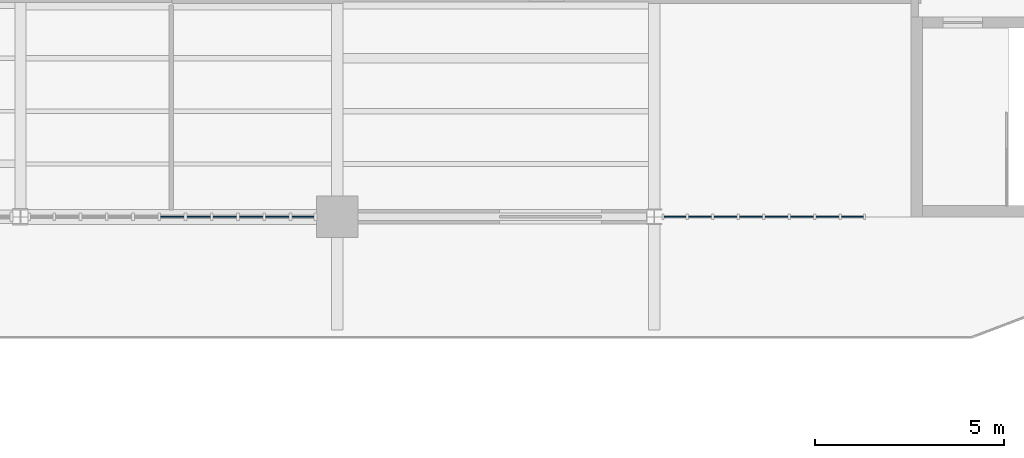
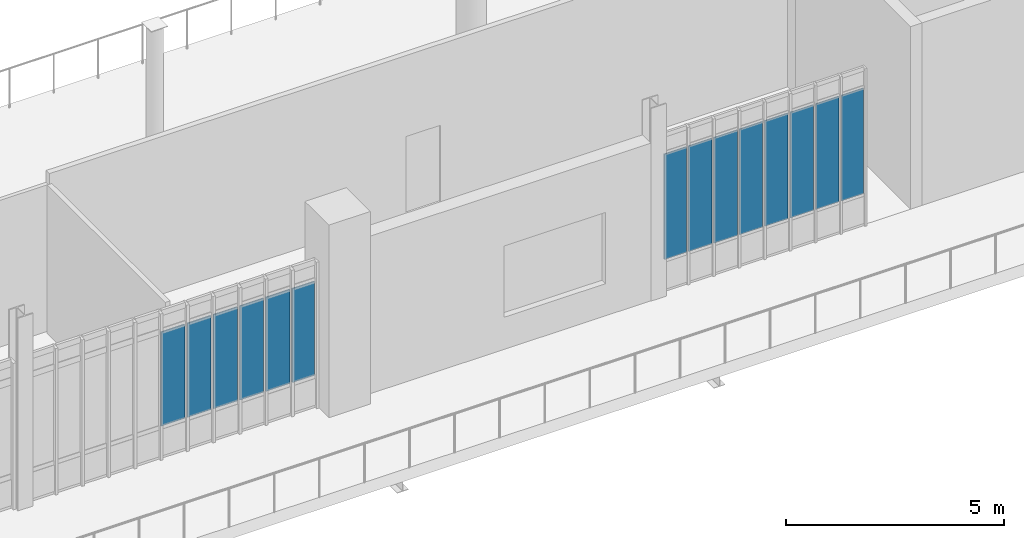
# One storey, part 75 of 135: 14 plates, 2 elements without a shape of their own.
"""IFC4 building model written with IfcOpenShell, lengths in metres."""

from ifc_helpers import new_model, si_unit, direction, frame, origin, origin_2d, place, context, subcontext, project, spatial, rectangle, extrude, material, layer, layer_set, type_object, element, aggregate, save


model = new_model("IFC4")

# Units and contexts
model_context = context("Model", 3, precision=1e-05, world=origin(), true_north=direction((0.0, 1.0)))
body_context = subcontext(model_context, "Body", "Model", "MODEL_VIEW")
ifc_project = project(units=[si_unit("LENGTHUNIT", "METRE"), si_unit("AREAUNIT", "SQUARE_METRE"), si_unit("VOLUMEUNIT", "CUBIC_METRE"), si_unit("PLANEANGLEUNIT", "RADIAN"), si_unit("MASSUNIT", "GRAM", prefix="KILO")], contexts=[model_context])

# Site, building, storey
site_placement = place(None, origin())
site = spatial("IfcSite", under=ifc_project, at=site_placement, CompositionType="ELEMENT")
building_placement = place(site_placement, origin())
building = spatial("IfcBuilding", under=site, at=building_placement, Name="Larkvane Passage Sports Hall", CompositionType="ELEMENT")
storey_placement = place(building_placement, frame((0.0, 0.0, 16.800048828125)))
storey = spatial("IfcBuildingStorey", under=building, at=storey_placement, Name="L03", CompositionType="ELEMENT", Elevation=16.800048828125)

# Curtain wall, plates
ifc_material_1 = material(Name="Thermally broken aluminium and low-E glazing", Category="aluminium")
curtain_wall_type_1 = type_object("IfcCurtainWallType", Name="CW-UNIT-COURT", PredefinedType="USERDEFINED", material=ifc_material_1)
curtain_wall_1_placement = place(storey_placement, origin())
curtain_wall_1 = element("IfcCurtainWall", 1, at=curtain_wall_1_placement, inside=storey, type_object=curtain_wall_type_1, Name="Curtain wall CW5-L03-124", ObjectType="UNITISED CURTAIN WALL", PredefinedType="USERDEFINED")
ifc_material_2 = material(Name="Solar-control low-E double glazing", Category="glass")
ifc_layer_1 = layer(ifc_material_2, 0.028076171875)
ifc_layer_set_1 = layer_set([ifc_layer_1], Name="Solar-control low-E double glazing")
plate_type_1 = type_object("IfcPlateType", Name="CWP-VIS-28", PredefinedType="CURTAIN_PANEL", material=ifc_layer_set_1)
plate_1_placement = place(storey_placement, frame((82.04736328125, 22.800048828125, 0.8798828125), z_axis=(0.0, 0.0, 1.0), x_axis=(-1.0, 0.0, 0.0)))
plate_1 = element("IfcPlate", 2, at=plate_1_placement, type_object=plate_type_1, Name="CW-01 panel 1.2", PredefinedType="CURTAIN_PANEL", context=body_context, shape_type="SweptSolid", body=[
    extrude(rectangle(XDim=0.585205078125, YDim=0.028076171875, at=origin_2d()), origin(), (0.0, 0.0, 1.0), 2.9599609375),
])
plate_2_placement = place(storey_placement, frame((81.38720703125, 22.800048828125, 0.8798828125), z_axis=(0.0, 0.0, 1.0), x_axis=(-1.0, 0.0, 0.0)))
plate_2 = element("IfcPlate", 3, at=plate_2_placement, type_object=plate_type_1, Name="CW-01 panel 2.2", PredefinedType="CURTAIN_PANEL", context=body_context, shape_type="SweptSolid", body=[
    extrude(rectangle(XDim=0.615234375, YDim=0.028076171875, at=origin_2d()), origin(), (0.0, 0.0, 1.0), 2.9599609375),
])
plate_3_placement = place(storey_placement, frame((80.7119140625, 22.800048828125, 0.8798828125), z_axis=(0.0, 0.0, 1.0), x_axis=(-1.0, 0.0, 0.0)))
plate_3 = element("IfcPlate", 4, at=plate_3_placement, type_object=plate_type_1, Name="CW-01 panel 3.2", PredefinedType="CURTAIN_PANEL", context=body_context, shape_type="SweptSolid", body=[
    extrude(rectangle(XDim=0.615234375, YDim=0.028076171875, at=origin_2d()), origin(), (0.0, 0.0, 1.0), 2.9599609375),
])
plate_4_placement = place(storey_placement, frame((80.036865234375, 22.800048828125, 0.8798828125), z_axis=(0.0, 0.0, 1.0), x_axis=(-1.0, 0.0, 0.0)))
plate_4 = element("IfcPlate", 5, at=plate_4_placement, type_object=plate_type_1, Name="CW-01 panel 4.2", PredefinedType="CURTAIN_PANEL", context=body_context, shape_type="SweptSolid", body=[
    extrude(rectangle(XDim=0.615234375, YDim=0.028076171875, at=origin_2d()), origin(), (0.0, 0.0, 1.0), 2.9599609375),
])
plate_5_placement = place(storey_placement, frame((79.361572265625, 22.800048828125, 0.8798828125), z_axis=(0.0, 0.0, 1.0), x_axis=(-1.0, 0.0, 0.0)))
plate_5 = element("IfcPlate", 6, at=plate_5_placement, type_object=plate_type_1, Name="CW-01 panel 5.2", PredefinedType="CURTAIN_PANEL", context=body_context, shape_type="SweptSolid", body=[
    extrude(rectangle(XDim=0.615234375, YDim=0.028076171875, at=origin_2d()), origin(), (0.0, 0.0, 1.0), 2.9599609375),
])
plate_6_placement = place(storey_placement, frame((78.6865234375, 22.800048828125, 0.8798828125), z_axis=(0.0, 0.0, 1.0), x_axis=(-1.0, 0.0, 0.0)))
plate_6 = element("IfcPlate", 7, at=plate_6_placement, type_object=plate_type_1, Name="CW-01 panel 6.2", PredefinedType="CURTAIN_PANEL", context=body_context, shape_type="SweptSolid", body=[
    extrude(rectangle(XDim=0.615234375, YDim=0.028076171875, at=origin_2d()), origin(), (0.0, 0.0, 1.0), 2.9599609375),
])
plate_7_placement = place(storey_placement, frame((78.01123046875, 22.800048828125, 0.8798828125), z_axis=(0.0, 0.0, 1.0), x_axis=(-1.0, 0.0, 0.0)))
plate_7 = element("IfcPlate", 8, at=plate_7_placement, type_object=plate_type_1, Name="CW-01 panel 7.2", PredefinedType="CURTAIN_PANEL", context=body_context, shape_type="SweptSolid", body=[
    extrude(rectangle(XDim=0.615234375, YDim=0.028076171875, at=origin_2d()), origin(), (0.0, 0.0, 1.0), 2.9599609375),
])
plate_8_placement = place(storey_placement, frame((77.35107421875, 22.800048828125, 0.8798828125), z_axis=(0.0, 0.0, 1.0), x_axis=(-1.0, 0.0, 0.0)))
plate_8 = element("IfcPlate", 9, at=plate_8_placement, type_object=plate_type_1, Name="CW-01 panel 8.2", PredefinedType="CURTAIN_PANEL", context=body_context, shape_type="SweptSolid", body=[
    extrude(rectangle(XDim=0.585205078125, YDim=0.028076171875, at=origin_2d()), origin(), (0.0, 0.0, 1.0), 2.9599609375),
])
aggregate(curtain_wall_1, [plate_1, plate_2, plate_3, plate_4, plate_5, plate_6, plate_7, plate_8])

curtain_wall_type_2 = type_object("IfcCurtainWallType", Name="CW-UNIT-VEIL", PredefinedType="USERDEFINED", material=ifc_material_1)
curtain_wall_2_placement = place(storey_placement, origin())
curtain_wall_2 = element("IfcCurtainWall", 10, at=curtain_wall_2_placement, inside=storey, type_object=curtain_wall_type_2, Name="Curtain wall CW5-L03-125", ObjectType="UNITISED CURTAIN WALL", PredefinedType="USERDEFINED")
ifc_material_3 = material(Name="Laminated acoustic low-E glazing", Category="glass")
ifc_layer_2 = layer(ifc_material_3, 0.031982421875)
ifc_layer_set_2 = layer_set([ifc_layer_2], Name="Laminated acoustic low-E glazing")
plate_type_2 = type_object("IfcPlateType", Name="CWP-VIS-32", PredefinedType="CURTAIN_PANEL", material=ifc_layer_set_2)
plate_9_placement = place(storey_placement, frame((67.488525390625, 22.800048828125, 0.884765625), z_axis=(0.0, 0.0, 1.0), x_axis=(-1.0, 0.0, 0.0)))
plate_9 = element("IfcPlate", 11, at=plate_9_placement, type_object=plate_type_2, Name="CW-02 panel 1.2", PredefinedType="CURTAIN_PANEL", context=body_context, shape_type="SweptSolid", body=[
    extrude(rectangle(XDim=0.5908203125, YDim=0.031982421875, at=origin_2d()), origin(), (0.0, 0.0, 1.0), 2.637939453125),
])
plate_10_placement = place(storey_placement, frame((66.810302734375, 22.800048828125, 0.884765625), z_axis=(0.0, 0.0, 1.0), x_axis=(-1.0, 0.0, 0.0)))
plate_10 = element("IfcPlate", 12, at=plate_10_placement, type_object=plate_type_2, Name="CW-02 panel 2.2", PredefinedType="CURTAIN_PANEL", context=body_context, shape_type="SweptSolid", body=[
    extrude(rectangle(XDim=0.6259765625, YDim=0.031982421875, at=origin_2d()), origin(), (0.0, 0.0, 1.0), 2.637939453125),
])
plate_11_placement = place(storey_placement, frame((66.1142578125, 22.800048828125, 0.884765625), z_axis=(0.0, 0.0, 1.0), x_axis=(-1.0, 0.0, 0.0)))
plate_11 = element("IfcPlate", 13, at=plate_11_placement, type_object=plate_type_2, Name="CW-02 panel 3.2", PredefinedType="CURTAIN_PANEL", context=body_context, shape_type="SweptSolid", body=[
    extrude(rectangle(XDim=0.6259765625, YDim=0.031982421875, at=origin_2d()), origin(), (0.0, 0.0, 1.0), 2.637939453125),
])
plate_12_placement = place(storey_placement, frame((65.41845703125, 22.800048828125, 0.884765625), z_axis=(0.0, 0.0, 1.0), x_axis=(-1.0, 0.0, 0.0)))
plate_12 = element("IfcPlate", 14, at=plate_12_placement, type_object=plate_type_2, Name="CW-02 panel 4.2", PredefinedType="CURTAIN_PANEL", context=body_context, shape_type="SweptSolid", body=[
    extrude(rectangle(XDim=0.6259765625, YDim=0.031982421875, at=origin_2d()), origin(), (0.0, 0.0, 1.0), 2.637939453125),
])
plate_13_placement = place(storey_placement, frame((64.72265625, 22.800048828125, 0.884765625), z_axis=(0.0, 0.0, 1.0), x_axis=(-1.0, 0.0, 0.0)))
plate_13 = element("IfcPlate", 15, at=plate_13_placement, type_object=plate_type_2, Name="CW-02 panel 5.2", PredefinedType="CURTAIN_PANEL", context=body_context, shape_type="SweptSolid", body=[
    extrude(rectangle(XDim=0.6259765625, YDim=0.031982421875, at=origin_2d()), origin(), (0.0, 0.0, 1.0), 2.637939453125),
])
plate_14_placement = place(storey_placement, frame((64.02685546875, 22.800048828125, 0.884765625), z_axis=(0.0, 0.0, 1.0), x_axis=(-1.0, 0.0, 0.0)))
plate_14 = element("IfcPlate", 16, at=plate_14_placement, type_object=plate_type_2, Name="CW-02 panel 6.2", PredefinedType="CURTAIN_PANEL", context=body_context, shape_type="SweptSolid", body=[
    extrude(rectangle(XDim=0.6259765625, YDim=0.031982421875, at=origin_2d()), origin(), (0.0, 0.0, 1.0), 2.637939453125),
])
aggregate(curtain_wall_2, [plate_9, plate_10, plate_11, plate_12, plate_13, plate_14])

save(model, "model.ifc")
